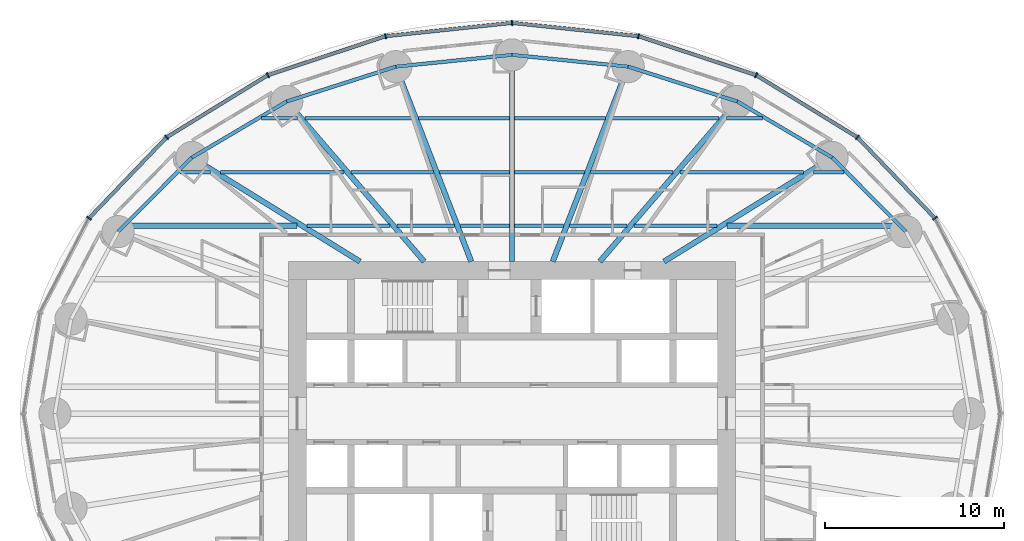
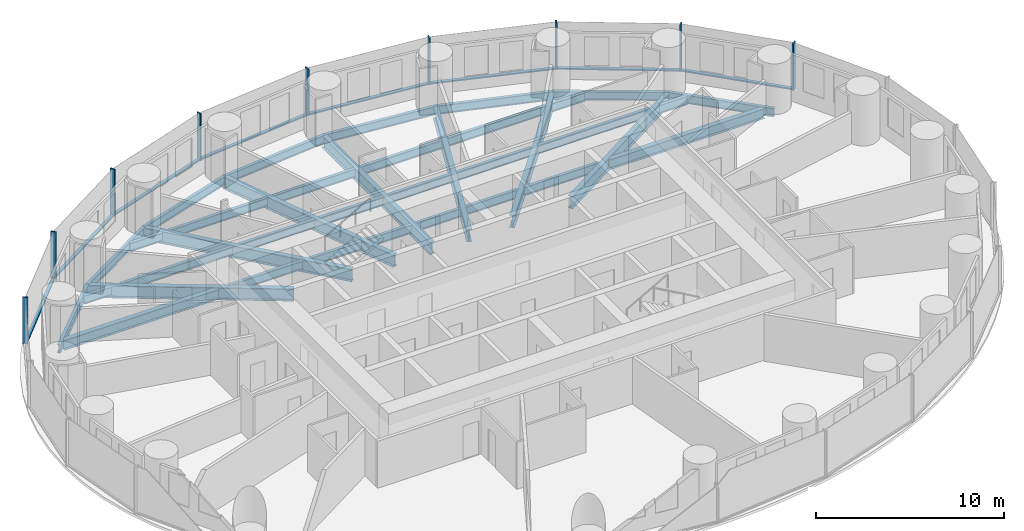
# One storey, part 4 of 13: 37 beams, 17 members, 2 elements without a shape of their own.
"""IFC4 building model written with IfcOpenShell, lengths in metres."""

from ifc_helpers import new_model, si_unit, direction, frame, origin, origin_2d, place, context, subcontext, project, spatial, rectangle, i_section, extrude, material, material_profile, profile_set, type_object, element, aggregate, save


model = new_model("IFC4")

# Units and contexts
model_context = context("Model", 3, precision=1e-05, world=origin(), true_north=direction((0.0, 1.0)))
body_context = subcontext(model_context, "Body", "Model", "MODEL_VIEW")
ifc_project = project(units=[si_unit("LENGTHUNIT", "METRE"), si_unit("AREAUNIT", "SQUARE_METRE"), si_unit("VOLUMEUNIT", "CUBIC_METRE"), si_unit("PLANEANGLEUNIT", "RADIAN"), si_unit("MASSUNIT", "GRAM", prefix="KILO")], contexts=[model_context])

# Site, building, storey
site_placement = place(None, origin())
site = spatial("IfcSite", under=ifc_project, at=site_placement, CompositionType="ELEMENT")
building_placement = place(site_placement, origin())
building = spatial("IfcBuilding", under=site, at=building_placement, Name="Hankou Lantern Tower", CompositionType="ELEMENT")
storey_placement = place(building_placement, frame((0.0, 0.0, 42.60009765625)))
storey = spatial("IfcBuildingStorey", under=building, at=storey_placement, Name="L09", CompositionType="ELEMENT", Elevation=42.60009765625)

# Beams
ifc_material_1 = material(Name="Steel Q355B", Category="steel")
ifc_material_profile_1 = material_profile(ifc_material_1, i_section(OverallWidth=0.199951171875, OverallDepth=0.550048828125, WebThickness=0.010009765625, FlangeThickness=0.01611328125, FilletRadius=0.012939453125, at=origin_2d()), Name="HN550x200x10x16")
ifc_profile_set_1 = profile_set([ifc_material_profile_1], Name="Steel Q355B")
beam_type_1 = type_object("IfcBeamType", Name="EB6 RING BEAM HN550x200x10x16", PredefinedType="SPANDREL", material=ifc_profile_set_1)
beam_1_placement = place(storey_placement, frame((22.01904296875, 10.170166015625, -0.455078125), z_axis=(-0.705727798394, 0.708483079949, 0.0), x_axis=(-0.708483079949, -0.705727798394, 0.0)))
element("IfcBeam", 1, at=beam_1_placement, inside=storey, type_object=beam_type_1, Name="Ring beam R03-R04 L09", PredefinedType="SPANDREL", context=body_context, shape_type="SweptSolid", body=[
    extrude(i_section(OverallWidth=0.199951171875, OverallDepth=0.550048828125, WebThickness=0.010009765625, FlangeThickness=0.01611328125, FilletRadius=0.012939453125, at=origin_2d()), origin(), (0.0, 0.0, 1.0), 5.84814453125),
])
beam_2_placement = place(storey_placement, frame((17.891845703125, 14.3134765625, -0.455078125), z_axis=(-0.860881533543, 0.508805449268, 0.0), x_axis=(-0.508805449268, -0.860881533543, 0.0)))
element("IfcBeam", 2, at=beam_2_placement, inside=storey, type_object=beam_type_1, Name="Ring beam R04-R05 L09", PredefinedType="SPANDREL", context=body_context, shape_type="SweptSolid", body=[
    extrude(i_section(OverallWidth=0.199951171875, OverallDepth=0.550048828125, WebThickness=0.010009765625, FlangeThickness=0.01611328125, FilletRadius=0.012939453125, at=origin_2d()), origin(), (0.0, 0.0, 1.0), 6.15771484375),
])
beam_3_placement = place(storey_placement, frame((12.5908203125, 17.446533203125, -0.455078125), z_axis=(-0.952690479428, 0.303942182671, 0.0), x_axis=(-0.303942182671, -0.952690479428, 0.0)))
element("IfcBeam", 3, at=beam_3_placement, inside=storey, type_object=beam_type_1, Name="Ring beam R05-R06 L09", PredefinedType="SPANDREL", context=body_context, shape_type="SweptSolid", body=[
    extrude(i_section(OverallWidth=0.199951171875, OverallDepth=0.550048828125, WebThickness=0.010009765625, FlangeThickness=0.01611328125, FilletRadius=0.012939453125, at=origin_2d()), origin(), (0.0, 0.0, 1.0), 6.398681640625),
])
for number, where, z_axis, x_axis, name in (
    (4, (6.494873046875, 19.391357421875, -0.455078125), (-0.994896616842, 0.100899562915, 0.0), (-0.100899562915, -0.994896616842, 0.0), "Ring beam R06-R07 L09"),
    (5, (0.0, 20.050048828125, -0.455078125), (-0.994896616842, -0.100899562915, 0.0), (0.100899562915, -0.994896616842, 0.0), "Ring beam R07-R08 L09"),
):
    element("IfcBeam", number, at=place(storey_placement, frame(where, z_axis=z_axis, x_axis=x_axis)), inside=storey, type_object=beam_type_1, Name=name, PredefinedType="SPANDREL", context=body_context, shape_type="SweptSolid", body=[
        extrude(i_section(OverallWidth=0.199951171875, OverallDepth=0.550048828125, WebThickness=0.010009765625, FlangeThickness=0.01611328125, FilletRadius=0.012939453125, at=origin_2d()), origin(), (0.0, 0.0, 1.0), 6.528076171875),
    ])
beam_4_placement = place(storey_placement, frame((-6.494873046875, 19.391357421875, -0.455078125), z_axis=(-0.952690479428, -0.303942182671, 0.0), x_axis=(0.303942182671, -0.952690479428, 0.0)))
element("IfcBeam", 6, at=beam_4_placement, inside=storey, type_object=beam_type_1, Name="Ring beam R08-R09 L09", PredefinedType="SPANDREL", context=body_context, shape_type="SweptSolid", body=[
    extrude(i_section(OverallWidth=0.199951171875, OverallDepth=0.550048828125, WebThickness=0.010009765625, FlangeThickness=0.01611328125, FilletRadius=0.012939453125, at=origin_2d()), origin(), (0.0, 0.0, 1.0), 6.398681640625),
])
beam_5_placement = place(storey_placement, frame((-12.5908203125, 17.446533203125, -0.455078125), z_axis=(-0.860881533543, -0.508805449268, 0.0), x_axis=(0.508805449268, -0.860881533543, 0.0)))
element("IfcBeam", 7, at=beam_5_placement, inside=storey, type_object=beam_type_1, Name="Ring beam R09-R10 L09", PredefinedType="SPANDREL", context=body_context, shape_type="SweptSolid", body=[
    extrude(i_section(OverallWidth=0.199951171875, OverallDepth=0.550048828125, WebThickness=0.010009765625, FlangeThickness=0.01611328125, FilletRadius=0.012939453125, at=origin_2d()), origin(), (0.0, 0.0, 1.0), 6.15771484375),
])
beam_6_placement = place(storey_placement, frame((-17.891845703125, 14.3134765625, -0.455078125), z_axis=(-0.705727798394, -0.708483079949, 0.0), x_axis=(0.708483079949, -0.705727798394, 0.0)))
element("IfcBeam", 8, at=beam_6_placement, inside=storey, type_object=beam_type_1, Name="Ring beam R10-R11 L09", PredefinedType="SPANDREL", context=body_context, shape_type="SweptSolid", body=[
    extrude(i_section(OverallWidth=0.199951171875, OverallDepth=0.550048828125, WebThickness=0.010009765625, FlangeThickness=0.01611328125, FilletRadius=0.012939453125, at=origin_2d()), origin(), (0.0, 0.0, 1.0), 5.84814453125),
])

# Curtain wall, members
ifc_material_2 = material(Name="Glass, dark grey tinted laminated", Category="glass")
curtain_wall_type = type_object("IfcCurtainWallType", Name="CWA OUTER SKIN LOW-RISE", PredefinedType="USERDEFINED", material=ifc_material_2)
curtain_wall_1_placement = place(storey_placement, origin())
curtain_wall_1 = element("IfcCurtainWall", 9, at=curtain_wall_1_placement, inside=storey, type_object=curtain_wall_type, Name="CWA L09 OS1", ObjectType="OUTER SKIN LOW-RISE", PredefinedType="USERDEFINED")
ifc_material_3 = material(Name="Aluminium, black anodised", Category="aluminium")
ifc_material_profile_2 = material_profile(ifc_material_3, rectangle(XDim=0.080078125, YDim=0.300048828125, at=origin_2d()), Name="MU1 80X300")
ifc_profile_set_2 = profile_set([ifc_material_profile_2], Name="Aluminium, black anodised")
member_type_1 = type_object("IfcMemberType", Name="MU1 OUTER SKIN MULLION 80X300", PredefinedType="MULLION", material=ifc_profile_set_2)
member_1_placement = place(storey_placement, frame((23.642578125, 10.919921875, 0.0), z_axis=(0.0, 0.0, 1.0), x_axis=(-0.585205735974, 0.810884854084, 0.0)))
member_1 = element("IfcMember", 10, at=member_1_placement, type_object=member_type_1, Name="CWA mullion 3", PredefinedType="MULLION", context=body_context, shape_type="SweptSolid", body=[
    extrude(rectangle(XDim=0.080078125, YDim=0.300048828125, at=origin_2d()), origin(), (0.0, 0.0, 1.0), 3.0498046875),
])
member_2_placement = place(storey_placement, frame((19.303955078125, 15.443115234375, 0.0), z_axis=(0.0, 0.0, 1.0), x_axis=(-0.780868809444, 0.624695047553, 0.0)))
member_2 = element("IfcMember", 11, at=member_2_placement, type_object=member_type_1, Name="CWA mullion 4", PredefinedType="MULLION", context=body_context, shape_type="SweptSolid", body=[
    extrude(rectangle(XDim=0.080078125, YDim=0.300048828125, at=origin_2d()), origin(), (0.0, 0.0, 1.0), 3.0498046875),
])
member_3_placement = place(storey_placement, frame((13.64990234375, 18.9140625, 0.0), z_axis=(0.0, 0.0, 1.0), x_axis=(-0.907841299004, 0.419313934686, 0.0)))
member_3 = element("IfcMember", 12, at=member_3_placement, type_object=member_type_1, Name="CWA mullion 5", PredefinedType="MULLION", context=body_context, shape_type="SweptSolid", body=[
    extrude(rectangle(XDim=0.080078125, YDim=0.300048828125, at=origin_2d()), origin(), (0.0, 0.0, 1.0), 3.0498046875),
])
member_4_placement = place(storey_placement, frame((7.065673828125, 21.095703125, 0.0), z_axis=(0.0, 0.0, 1.0), x_axis=(-0.977787659625, 0.209597931016, 0.0)))
member_4 = element("IfcMember", 13, at=member_4_placement, type_object=member_type_1, Name="CWA mullion 6", PredefinedType="MULLION", context=body_context, shape_type="SweptSolid", body=[
    extrude(rectangle(XDim=0.080078125, YDim=0.300048828125, at=origin_2d()), origin(), (0.0, 0.0, 1.0), 3.0498046875),
])

curtain_wall_2_placement = place(storey_placement, origin())
curtain_wall_2 = element("IfcCurtainWall", 14, at=curtain_wall_2_placement, inside=storey, type_object=curtain_wall_type, Name="CWA L09 OS2", ObjectType="OUTER SKIN LOW-RISE", PredefinedType="USERDEFINED")
member_5_placement = place(storey_placement, frame((0.0, 21.840087890625, 0.0), z_axis=(0.0, 0.0, 1.0), x_axis=(-0.994499359107, -0.104742659579, 0.0)))
member_5 = element("IfcMember", 15, at=member_5_placement, type_object=member_type_1, Name="CWA mullion 1", PredefinedType="MULLION", context=body_context, shape_type="SweptSolid", body=[
    extrude(rectangle(XDim=0.080078125, YDim=0.300048828125, at=origin_2d()), origin(), (0.0, 0.0, 1.0), 3.0498046875),
])
member_6_placement = place(storey_placement, frame((-7.065673828125, 21.095703125, 0.0), z_axis=(0.0, 0.0, 1.0), x_axis=(-0.977787659625, -0.209597931016, 0.0)))
member_6 = element("IfcMember", 16, at=member_6_placement, type_object=member_type_1, Name="CWA mullion 2", PredefinedType="MULLION", context=body_context, shape_type="SweptSolid", body=[
    extrude(rectangle(XDim=0.080078125, YDim=0.300048828125, at=origin_2d()), origin(), (0.0, 0.0, 1.0), 3.0498046875),
])
member_7_placement = place(storey_placement, frame((-13.64990234375, 18.9140625, 0.0), z_axis=(0.0, 0.0, 1.0), x_axis=(-0.907841299004, -0.419313934686, 0.0)))
member_7 = element("IfcMember", 17, at=member_7_placement, type_object=member_type_1, Name="CWA mullion 3", PredefinedType="MULLION", context=body_context, shape_type="SweptSolid", body=[
    extrude(rectangle(XDim=0.080078125, YDim=0.300048828125, at=origin_2d()), origin(), (0.0, 0.0, 1.0), 3.0498046875),
])
member_8_placement = place(storey_placement, frame((-19.303955078125, 15.443115234375, 0.0), z_axis=(0.0, 0.0, 1.0), x_axis=(-0.780868809444, -0.624695047553, 0.0)))
member_8 = element("IfcMember", 18, at=member_8_placement, type_object=member_type_1, Name="CWA mullion 4", PredefinedType="MULLION", context=body_context, shape_type="SweptSolid", body=[
    extrude(rectangle(XDim=0.080078125, YDim=0.300048828125, at=origin_2d()), origin(), (0.0, 0.0, 1.0), 3.0498046875),
])
member_9_placement = place(storey_placement, frame((-23.642578125, 10.919921875, 0.0), z_axis=(0.0, 0.0, 1.0), x_axis=(-0.585205735974, -0.810884854084, 0.0)))
member_9 = element("IfcMember", 19, at=member_9_placement, type_object=member_type_1, Name="CWA mullion 5", PredefinedType="MULLION", context=body_context, shape_type="SweptSolid", body=[
    extrude(rectangle(XDim=0.080078125, YDim=0.300048828125, at=origin_2d()), origin(), (0.0, 0.0, 1.0), 3.0498046875),
])

# Beams
ifc_material_4 = material(Name="Steel Q355B", Category="steel")
ifc_material_profile_3 = material_profile(ifc_material_4, i_section(OverallWidth=0.300048828125, OverallDepth=0.800048828125, WebThickness=0.013916015625, FlangeThickness=0.02587890625, FilletRadius=0.01806640625, at=origin_2d()), Name="HN800x300x14x26")
ifc_profile_set_3 = profile_set([ifc_material_profile_3], Name="Steel Q355B")
beam_type_2 = type_object("IfcBeamType", Name="RB11 RADIAL BEAM HN800x300x14x26", PredefinedType="BEAM", material=ifc_profile_set_3)
beam_7_placement = place(storey_placement, frame((8.5, 8.5, -0.580078125), z_axis=(0.850286343288, 0.526320372414, 0.0), x_axis=(-0.526320372414, 0.850286343288, 0.0)))
element("IfcBeam", 20, at=beam_7_placement, inside=storey, type_object=beam_type_2, Name="Radial beam R04 L09", PredefinedType="BEAM", context=body_context, shape_type="SweptSolid", body=[
    extrude(i_section(OverallWidth=0.300048828125, OverallDepth=0.800048828125, WebThickness=0.013916015625, FlangeThickness=0.02587890625, FilletRadius=0.01806640625, at=origin_2d()), origin(), (0.0, 0.0, 1.0), 11.04541015625),
])
beam_8_placement = place(storey_placement, frame((4.907470703125, 8.5, -0.580078125), z_axis=(0.651519061225, 0.758632264579, 0.0), x_axis=(-0.758632264579, 0.651519061225, 0.0)))
element("IfcBeam", 21, at=beam_8_placement, inside=storey, type_object=beam_type_2, Name="Radial beam R05 L09", PredefinedType="BEAM", context=body_context, shape_type="SweptSolid", body=[
    extrude(i_section(OverallWidth=0.300048828125, OverallDepth=0.800048828125, WebThickness=0.013916015625, FlangeThickness=0.02587890625, FilletRadius=0.01806640625, at=origin_2d()), origin(), (0.0, 0.0, 1.0), 11.79296875),
])
beam_9_placement = place(storey_placement, frame((2.277587890625, 8.5, -0.580078125), z_axis=(0.361089103374, 0.932531318201, 0.0), x_axis=(-0.932531318201, 0.361089103374, 0.0)))
element("IfcBeam", 22, at=beam_9_placement, inside=storey, type_object=beam_type_2, Name="Radial beam R06 L09", PredefinedType="BEAM", context=body_context, shape_type="SweptSolid", body=[
    extrude(i_section(OverallWidth=0.300048828125, OverallDepth=0.800048828125, WebThickness=0.013916015625, FlangeThickness=0.02587890625, FilletRadius=0.01806640625, at=origin_2d()), origin(), (0.0, 0.0, 1.0), 11.679443359375),
])
beam_10_placement = place(storey_placement, frame((0.0, 8.5, -0.580078125), z_axis=(0.0, 1.0, 0.0), x_axis=(-1.0, 0.0, 0.0)))
element("IfcBeam", 23, at=beam_10_placement, inside=storey, type_object=beam_type_2, Name="Radial beam R07 L09", PredefinedType="BEAM", context=body_context, shape_type="SweptSolid", body=[
    extrude(i_section(OverallWidth=0.300048828125, OverallDepth=0.800048828125, WebThickness=0.013916015625, FlangeThickness=0.02587890625, FilletRadius=0.01806640625, at=origin_2d()), origin(), (0.0, 0.0, 1.0), 11.550048828125),
])
beam_11_placement = place(storey_placement, frame((-2.277587890625, 8.5, -0.580078125), z_axis=(-0.361089103374, 0.932531318201, 0.0), x_axis=(-0.932531318201, -0.361089103374, 0.0)))
element("IfcBeam", 24, at=beam_11_placement, inside=storey, type_object=beam_type_2, Name="Radial beam R08 L09", PredefinedType="BEAM", context=body_context, shape_type="SweptSolid", body=[
    extrude(i_section(OverallWidth=0.300048828125, OverallDepth=0.800048828125, WebThickness=0.013916015625, FlangeThickness=0.02587890625, FilletRadius=0.01806640625, at=origin_2d()), origin(), (0.0, 0.0, 1.0), 11.679443359375),
])
beam_12_placement = place(storey_placement, frame((-4.907470703125, 8.5, -0.580078125), z_axis=(-0.651519061225, 0.758632264579, 0.0), x_axis=(-0.758632264579, -0.651519061225, 0.0)))
element("IfcBeam", 25, at=beam_12_placement, inside=storey, type_object=beam_type_2, Name="Radial beam R09 L09", PredefinedType="BEAM", context=body_context, shape_type="SweptSolid", body=[
    extrude(i_section(OverallWidth=0.300048828125, OverallDepth=0.800048828125, WebThickness=0.013916015625, FlangeThickness=0.02587890625, FilletRadius=0.01806640625, at=origin_2d()), origin(), (0.0, 0.0, 1.0), 11.79296875),
])
beam_13_placement = place(storey_placement, frame((-8.5, 8.5, -0.580078125), z_axis=(-0.850286343288, 0.526320372414, 0.0), x_axis=(-0.526320372414, -0.850286343288, 0.0)))
element("IfcBeam", 26, at=beam_13_placement, inside=storey, type_object=beam_type_2, Name="Radial beam R10 L09", PredefinedType="BEAM", context=body_context, shape_type="SweptSolid", body=[
    extrude(i_section(OverallWidth=0.300048828125, OverallDepth=0.800048828125, WebThickness=0.013916015625, FlangeThickness=0.02587890625, FilletRadius=0.01806640625, at=origin_2d()), origin(), (0.0, 0.0, 1.0), 11.04541015625),
])
ifc_material_5 = material(Name="Steel Q355B", Category="steel")
ifc_material_profile_4 = material_profile(ifc_material_5, i_section(OverallWidth=0.199951171875, OverallDepth=0.550048828125, WebThickness=0.010009765625, FlangeThickness=0.01611328125, FilletRadius=0.012939453125, at=origin_2d()), Name="HN550x200x10x16")
ifc_profile_set_4 = profile_set([ifc_material_profile_4], Name="Steel Q355B")
beam_type_3 = type_object("IfcBeamType", Name="SB6 SECONDARY BEAM HN550x200x10x16", PredefinedType="JOIST", material=ifc_profile_set_4)
beam_14_placement = place(storey_placement, frame((-11.446044921875, 10.5, -0.455078125), z_axis=(1.0, 0.0, 0.0), x_axis=(0.0, 1.0, 0.0)))
element("IfcBeam", 27, at=beam_14_placement, inside=storey, type_object=beam_type_3, Name="Floor joist J040 L09", PredefinedType="JOIST", context=body_context, shape_type="SweptSolid", body=[
    extrude(i_section(OverallWidth=0.199951171875, OverallDepth=0.550048828125, WebThickness=0.010009765625, FlangeThickness=0.01611328125, FilletRadius=0.012939453125, at=origin_2d()), origin(), (0.0, 0.0, 1.0), 4.623291015625),
])
beam_15_placement = place(storey_placement, frame((-6.427490234375, 10.5, -0.455078125), z_axis=(1.0, 0.0, 0.0), x_axis=(0.0, 1.0, 0.0)))
element("IfcBeam", 28, at=beam_15_placement, inside=storey, type_object=beam_type_3, Name="Floor joist J041 L09", PredefinedType="JOIST", context=body_context, shape_type="SweptSolid", body=[
    extrude(i_section(OverallWidth=0.199951171875, OverallDepth=0.550048828125, WebThickness=0.010009765625, FlangeThickness=0.01611328125, FilletRadius=0.012939453125, at=origin_2d()), origin(), (0.0, 0.0, 1.0), 3.214599609375),
])
for number, where, z_axis, x_axis, name in (
    (29, (-2.89111328125, 10.5, -0.455078125), (1.0, 0.0, 0.0), (0.0, 1.0, 0.0), "Floor joist J042 L09"),
    (30, (0.14990234375, 10.5, -0.455078125), (1.0, 0.0, 0.0), (0.0, 1.0, 0.0), "Floor joist J043 L09"),
):
    element("IfcBeam", number, at=place(storey_placement, frame(where, z_axis=z_axis, x_axis=x_axis)), inside=storey, type_object=beam_type_3, Name=name, PredefinedType="JOIST", context=body_context, shape_type="SweptSolid", body=[
        extrude(i_section(OverallWidth=0.199951171875, OverallDepth=0.550048828125, WebThickness=0.010009765625, FlangeThickness=0.01611328125, FilletRadius=0.012939453125, at=origin_2d()), origin(), (0.0, 0.0, 1.0), 2.7412109375),
    ])
beam_16_placement = place(storey_placement, frame((3.212890625, 10.5, -0.455078125), z_axis=(1.0, 0.0, 0.0), x_axis=(0.0, 1.0, 0.0)))
element("IfcBeam", 31, at=beam_16_placement, inside=storey, type_object=beam_type_3, Name="Floor joist J044 L09", PredefinedType="JOIST", context=body_context, shape_type="SweptSolid", body=[
    extrude(i_section(OverallWidth=0.199951171875, OverallDepth=0.550048828125, WebThickness=0.010009765625, FlangeThickness=0.01611328125, FilletRadius=0.012939453125, at=origin_2d()), origin(), (0.0, 0.0, 1.0), 3.214599609375),
])
beam_17_placement = place(storey_placement, frame((6.82275390625, 10.5, -0.455078125), z_axis=(1.0, 0.0, 0.0), x_axis=(0.0, 1.0, 0.0)))
element("IfcBeam", 32, at=beam_17_placement, inside=storey, type_object=beam_type_3, Name="Floor joist J045 L09", PredefinedType="JOIST", context=body_context, shape_type="SweptSolid", body=[
    extrude(i_section(OverallWidth=0.199951171875, OverallDepth=0.550048828125, WebThickness=0.010009765625, FlangeThickness=0.01611328125, FilletRadius=0.012939453125, at=origin_2d()), origin(), (0.0, 0.0, 1.0), 4.623291015625),
])
beam_18_placement = place(storey_placement, frame((-18.560791015625, 13.5, -0.455078125), z_axis=(1.0, 0.0, 0.0), x_axis=(0.0, 1.0, 0.0)))
element("IfcBeam", 33, at=beam_18_placement, inside=storey, type_object=beam_type_3, Name="Floor joist J047 L09", PredefinedType="JOIST", context=body_context, shape_type="SweptSolid", body=[
    extrude(i_section(OverallWidth=0.199951171875, OverallDepth=0.550048828125, WebThickness=0.010009765625, FlangeThickness=0.01611328125, FilletRadius=0.012939453125, at=origin_2d()), origin(), (0.0, 0.0, 1.0), 1.697998046875),
])
beam_19_placement = place(storey_placement, frame((-16.292724609375, 13.5, -0.455078125), z_axis=(1.0, 0.0, 0.0), x_axis=(0.0, 1.0, 0.0)))
element("IfcBeam", 34, at=beam_19_placement, inside=storey, type_object=beam_type_3, Name="Floor joist J048 L09", PredefinedType="JOIST", context=body_context, shape_type="SweptSolid", body=[
    extrude(i_section(OverallWidth=0.199951171875, OverallDepth=0.550048828125, WebThickness=0.010009765625, FlangeThickness=0.01611328125, FilletRadius=0.012939453125, at=origin_2d()), origin(), (0.0, 0.0, 1.0), 6.893310546875),
])
beam_20_placement = place(storey_placement, frame((-9.00390625, 13.5, -0.455078125), z_axis=(1.0, 0.0, 0.0), x_axis=(0.0, 1.0, 0.0)))
element("IfcBeam", 35, at=beam_20_placement, inside=storey, type_object=beam_type_3, Name="Floor joist J049 L09", PredefinedType="JOIST", context=body_context, shape_type="SweptSolid", body=[
    extrude(i_section(OverallWidth=0.199951171875, OverallDepth=0.550048828125, WebThickness=0.010009765625, FlangeThickness=0.01611328125, FilletRadius=0.012939453125, at=origin_2d()), origin(), (0.0, 0.0, 1.0), 4.62939453125),
])
for number, where, z_axis, x_axis, name in (
    (36, (-4.052734375, 13.5, -0.455078125), (1.0, 0.0, 0.0), (0.0, 1.0, 0.0), "Floor joist J050 L09"),
    (37, (0.14990234375, 13.5, -0.455078125), (1.0, 0.0, 0.0), (0.0, 1.0, 0.0), "Floor joist J051 L09"),
):
    element("IfcBeam", number, at=place(storey_placement, frame(where, z_axis=z_axis, x_axis=x_axis)), inside=storey, type_object=beam_type_3, Name=name, PredefinedType="JOIST", context=body_context, shape_type="SweptSolid", body=[
        extrude(i_section(OverallWidth=0.199951171875, OverallDepth=0.550048828125, WebThickness=0.010009765625, FlangeThickness=0.01611328125, FilletRadius=0.012939453125, at=origin_2d()), origin(), (0.0, 0.0, 1.0), 3.90283203125),
    ])
beam_21_placement = place(storey_placement, frame((4.37451171875, 13.5, -0.455078125), z_axis=(1.0, 0.0, 0.0), x_axis=(0.0, 1.0, 0.0)))
element("IfcBeam", 38, at=beam_21_placement, inside=storey, type_object=beam_type_3, Name="Floor joist J052 L09", PredefinedType="JOIST", context=body_context, shape_type="SweptSolid", body=[
    extrude(i_section(OverallWidth=0.199951171875, OverallDepth=0.550048828125, WebThickness=0.010009765625, FlangeThickness=0.01611328125, FilletRadius=0.012939453125, at=origin_2d()), origin(), (0.0, 0.0, 1.0), 4.62939453125),
])
beam_22_placement = place(storey_placement, frame((9.3994140625, 13.5, -0.455078125), z_axis=(1.0, 0.0, 0.0), x_axis=(0.0, 1.0, 0.0)))
element("IfcBeam", 39, at=beam_22_placement, inside=storey, type_object=beam_type_3, Name="Floor joist J053 L09", PredefinedType="JOIST", context=body_context, shape_type="SweptSolid", body=[
    extrude(i_section(OverallWidth=0.199951171875, OverallDepth=0.550048828125, WebThickness=0.010009765625, FlangeThickness=0.01611328125, FilletRadius=0.012939453125, at=origin_2d()), origin(), (0.0, 0.0, 1.0), 6.893310546875),
])
beam_23_placement = place(storey_placement, frame((16.86279296875, 13.5, -0.455078125), z_axis=(1.0, 0.0, 0.0), x_axis=(0.0, 1.0, 0.0)))
element("IfcBeam", 40, at=beam_23_placement, inside=storey, type_object=beam_type_3, Name="Floor joist J054 L09", PredefinedType="JOIST", context=body_context, shape_type="SweptSolid", body=[
    extrude(i_section(OverallWidth=0.199951171875, OverallDepth=0.550048828125, WebThickness=0.010009765625, FlangeThickness=0.01611328125, FilletRadius=0.012939453125, at=origin_2d()), origin(), (0.0, 0.0, 1.0), 1.697998046875),
])
beam_24_placement = place(storey_placement, frame((-13.99560546875, 16.5, -0.455078125), z_axis=(1.0, 0.0, 0.0), x_axis=(0.0, 1.0, 0.0)))
element("IfcBeam", 41, at=beam_24_placement, inside=storey, type_object=beam_type_3, Name="Floor joist J055 L09", PredefinedType="JOIST", context=body_context, shape_type="SweptSolid", body=[
    extrude(i_section(OverallWidth=0.199951171875, OverallDepth=0.550048828125, WebThickness=0.010009765625, FlangeThickness=0.01611328125, FilletRadius=0.012939453125, at=origin_2d()), origin(), (0.0, 0.0, 1.0), 2.019775390625),
])
beam_25_placement = place(storey_placement, frame((-11.580322265625, 16.5, -0.455078125), z_axis=(1.0, 0.0, 0.0), x_axis=(0.0, 1.0, 0.0)))
element("IfcBeam", 42, at=beam_25_placement, inside=storey, type_object=beam_type_3, Name="Floor joist J056 L09", PredefinedType="JOIST", context=body_context, shape_type="SweptSolid", body=[
    extrude(i_section(OverallWidth=0.199951171875, OverallDepth=0.550048828125, WebThickness=0.010009765625, FlangeThickness=0.01611328125, FilletRadius=0.012939453125, at=origin_2d()), origin(), (0.0, 0.0, 1.0), 6.044189453125),
])
for number, where, z_axis, x_axis, name in (
    (43, (-5.21435546875, 16.5, -0.455078125), (1.0, 0.0, 0.0), (0.0, 1.0, 0.0), "Floor joist J057 L09"),
    (44, (0.14990234375, 16.5, -0.455078125), (1.0, 0.0, 0.0), (0.0, 1.0, 0.0), "Floor joist J058 L09"),
):
    element("IfcBeam", number, at=place(storey_placement, frame(where, z_axis=z_axis, x_axis=x_axis)), inside=storey, type_object=beam_type_3, Name=name, PredefinedType="JOIST", context=body_context, shape_type="SweptSolid", body=[
        extrude(i_section(OverallWidth=0.199951171875, OverallDepth=0.550048828125, WebThickness=0.010009765625, FlangeThickness=0.01611328125, FilletRadius=0.012939453125, at=origin_2d()), origin(), (0.0, 0.0, 1.0), 5.064453125),
    ])
beam_26_placement = place(storey_placement, frame((5.5361328125, 16.5, -0.455078125), z_axis=(1.0, 0.0, 0.0), x_axis=(0.0, 1.0, 0.0)))
element("IfcBeam", 45, at=beam_26_placement, inside=storey, type_object=beam_type_3, Name="Floor joist J059 L09", PredefinedType="JOIST", context=body_context, shape_type="SweptSolid", body=[
    extrude(i_section(OverallWidth=0.199951171875, OverallDepth=0.550048828125, WebThickness=0.010009765625, FlangeThickness=0.01611328125, FilletRadius=0.012939453125, at=origin_2d()), origin(), (0.0, 0.0, 1.0), 6.044189453125),
])
beam_27_placement = place(storey_placement, frame((11.975830078125, 16.5, -0.455078125), z_axis=(1.0, 0.0, 0.0), x_axis=(0.0, 1.0, 0.0)))
element("IfcBeam", 46, at=beam_27_placement, inside=storey, type_object=beam_type_3, Name="Floor joist J060 L09", PredefinedType="JOIST", context=body_context, shape_type="SweptSolid", body=[
    extrude(i_section(OverallWidth=0.199951171875, OverallDepth=0.550048828125, WebThickness=0.010009765625, FlangeThickness=0.01611328125, FilletRadius=0.012939453125, at=origin_2d()), origin(), (0.0, 0.0, 1.0), 2.019775390625),
])
ifc_material_6 = material(Name="Steel Q355B", Category="steel")
ifc_material_profile_5 = material_profile(ifc_material_6, i_section(OverallWidth=0.300048828125, OverallDepth=0.64990234375, WebThickness=0.010986328125, FlangeThickness=0.01708984375, FilletRadius=0.01806640625, at=origin_2d()), Name="HN650x300x11x17")
ifc_profile_set_5 = profile_set([ifc_material_profile_5], Name="Steel Q355B")
beam_type_4 = type_object("IfcBeamType", Name="SB8 SECONDARY BEAM HN650x300x11x17", PredefinedType="JOIST", material=ifc_profile_set_5)
for number, where, z_axis, x_axis, name in (
    (47, (-21.54931640625, 10.5, -0.505126953125), (1.0, 0.0, 0.0), (0.0, 1.0, 0.0), "Floor joist J039 L09"),
    (48, (12.01611328125, 10.5, -0.505126953125), (1.0, 0.0, 0.0), (0.0, 1.0, 0.0), "Floor joist J046 L09"),
):
    element("IfcBeam", number, at=place(storey_placement, frame(where, z_axis=z_axis, x_axis=x_axis)), inside=storey, type_object=beam_type_4, Name=name, PredefinedType="JOIST", context=body_context, shape_type="SweptSolid", body=[
        extrude(i_section(OverallWidth=0.300048828125, OverallDepth=0.64990234375, WebThickness=0.010986328125, FlangeThickness=0.01708984375, FilletRadius=0.01806640625, at=origin_2d()), origin(), (0.0, 0.0, 1.0), 9.533203125),
    ])

# Member
ifc_material_7 = material(Name="Aluminium, black anodised", Category="aluminium")
ifc_material_profile_6 = material_profile(ifc_material_7, rectangle(XDim=0.199951171875, YDim=0.080078125, at=origin_2d()), Name="TR1 200X80")
ifc_profile_set_6 = profile_set([ifc_material_profile_6], Name="Aluminium, black anodised")
member_type_2 = type_object("IfcMemberType", Name="TR1 OUTER SKIN TRANSOM 200X80", PredefinedType="USERDEFINED", material=ifc_profile_set_6)
member_10_placement = place(storey_placement, frame((23.61474609375, 10.948974609375, 0.039794921875), z_axis=(-0.692215537374, 0.721690827029, 0.0), x_axis=(-0.721690827029, -0.692215537374, 0.0)))
member_10 = element("IfcMember", 49, at=member_10_placement, type_object=member_type_2, Name="CWA transom 3", ObjectType="TRANSOM", PredefinedType="USERDEFINED", context=body_context, shape_type="SweptSolid", body=[
    extrude(rectangle(XDim=0.199951171875, YDim=0.080078125, at=origin_2d()), origin(), (0.0, 0.0, 1.0), 6.187255859375),
])

member_11_placement = place(storey_placement, frame((19.27001953125, 15.464111328125, 0.039794921875), z_axis=(-0.85223969557, 0.523151508929, 0.0), x_axis=(-0.523151508929, -0.85223969557, 0.0)))
member_11 = element("IfcMember", 50, at=member_11_placement, type_object=member_type_2, Name="CWA transom 4", ObjectType="TRANSOM", PredefinedType="USERDEFINED", context=body_context, shape_type="SweptSolid", body=[
    extrude(rectangle(XDim=0.199951171875, YDim=0.080078125, at=origin_2d()), origin(), (0.0, 0.0, 1.0), 6.554443359375),
])

member_12_placement = place(storey_placement, frame((13.612060546875, 18.926513671875, 0.039794921875), z_axis=(-0.949237318771, 0.314560825044, 0.0), x_axis=(-0.314560825044, -0.949237318771, 0.0)))
member_12 = element("IfcMember", 51, at=member_12_placement, type_object=member_type_2, Name="CWA transom 5", ObjectType="TRANSOM", PredefinedType="USERDEFINED", context=body_context, shape_type="SweptSolid", body=[
    extrude(rectangle(XDim=0.199951171875, YDim=0.080078125, at=origin_2d()), origin(), (0.0, 0.0, 1.0), 6.8564453125),
])

member_13_placement = place(storey_placement, frame((7.02587890625, 21.10009765625, 0.039794921875), z_axis=(-0.994502215033, 0.104715539888, 0.0), x_axis=(-0.104715539888, -0.994502215033, 0.0)))
member_13 = element("IfcMember", 52, at=member_13_placement, type_object=member_type_2, Name="CWA transom 6", ObjectType="TRANSOM", PredefinedType="USERDEFINED", context=body_context, shape_type="SweptSolid", body=[
    extrude(rectangle(XDim=0.199951171875, YDim=0.080078125, at=origin_2d()), origin(), (0.0, 0.0, 1.0), 7.024658203125),
])

aggregate(curtain_wall_1, [member_1, member_2, member_3, member_4, member_10, member_11, member_12, member_13])

member_14_placement = place(storey_placement, frame((-0.039794921875, 21.835693359375, 0.039794921875), z_axis=(-0.994502215033, -0.104715539888, 0.0), x_axis=(0.104715539888, -0.994502215033, 0.0)))
member_14 = element("IfcMember", 53, at=member_14_placement, type_object=member_type_2, Name="CWA transom 1", ObjectType="TRANSOM", PredefinedType="USERDEFINED", context=body_context, shape_type="SweptSolid", body=[
    extrude(rectangle(XDim=0.199951171875, YDim=0.080078125, at=origin_2d()), origin(), (0.0, 0.0, 1.0), 7.024658203125),
])

member_15_placement = place(storey_placement, frame((-7.103759765625, 21.083251953125, 0.039794921875), z_axis=(-0.949237318771, -0.314560825044, 0.0), x_axis=(0.314560825044, -0.949237318771, 0.0)))
member_15 = element("IfcMember", 54, at=member_15_placement, type_object=member_type_2, Name="CWA transom 2", ObjectType="TRANSOM", PredefinedType="USERDEFINED", context=body_context, shape_type="SweptSolid", body=[
    extrude(rectangle(XDim=0.199951171875, YDim=0.080078125, at=origin_2d()), origin(), (0.0, 0.0, 1.0), 6.8564453125),
])

member_16_placement = place(storey_placement, frame((-13.68408203125, 18.89306640625, 0.039794921875), z_axis=(-0.85223969557, -0.523151508929, 0.0), x_axis=(0.523151508929, -0.85223969557, 0.0)))
member_16 = element("IfcMember", 55, at=member_16_placement, type_object=member_type_2, Name="CWA transom 3", ObjectType="TRANSOM", PredefinedType="USERDEFINED", context=body_context, shape_type="SweptSolid", body=[
    extrude(rectangle(XDim=0.199951171875, YDim=0.080078125, at=origin_2d()), origin(), (0.0, 0.0, 1.0), 6.554443359375),
])

member_17_placement = place(storey_placement, frame((-19.331787109375, 15.414306640625, 0.039794921875), z_axis=(-0.692215537374, -0.721690827029, 0.0), x_axis=(0.721690827029, -0.692215537374, 0.0)))
member_17 = element("IfcMember", 56, at=member_17_placement, type_object=member_type_2, Name="CWA transom 4", ObjectType="TRANSOM", PredefinedType="USERDEFINED", context=body_context, shape_type="SweptSolid", body=[
    extrude(rectangle(XDim=0.199951171875, YDim=0.080078125, at=origin_2d()), origin(), (0.0, 0.0, 1.0), 6.187255859375),
])

aggregate(curtain_wall_2, [member_5, member_6, member_7, member_8, member_9, member_14, member_15, member_16, member_17])

save(model, "model.ifc")
